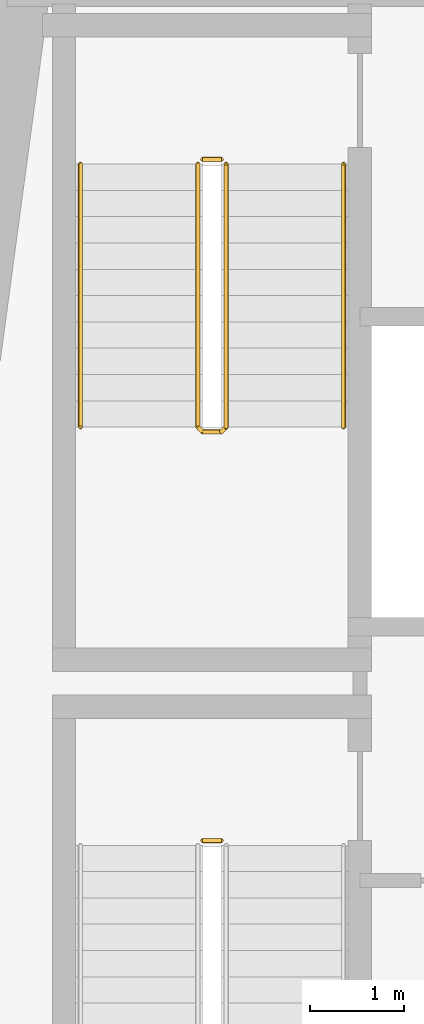
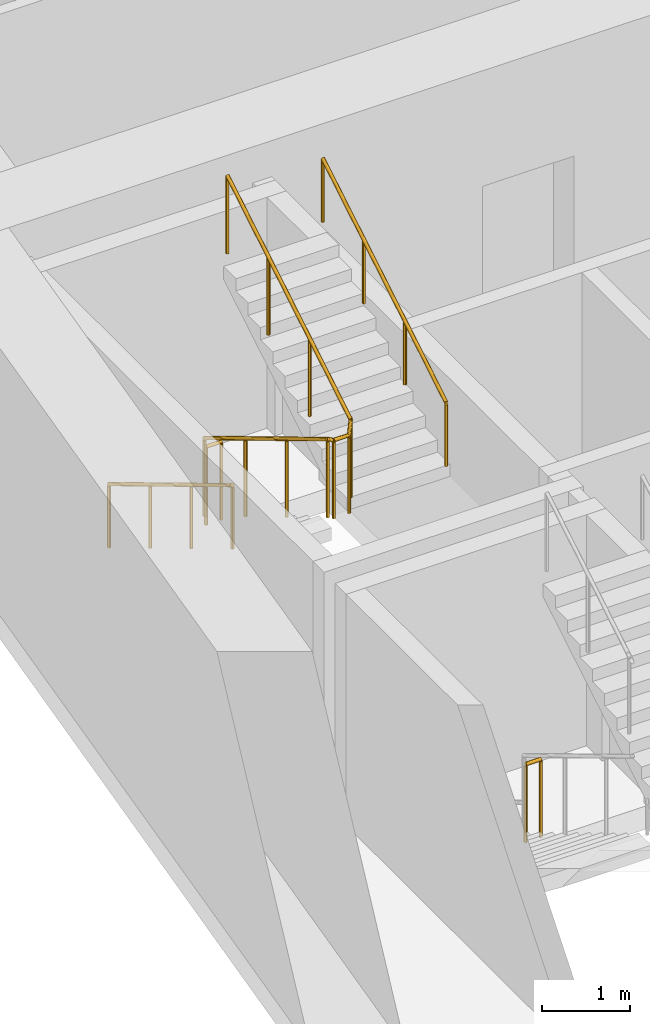
# One storey, part 10 of 13: 5 railings.
"""IFC4 building model written with IfcOpenShell, lengths in metres."""

from ifc_helpers import new_model, si_unit, direction, frame, origin, origin_2d, place, context, subcontext, project, spatial, circle, extrude, material, type_object, element, save


model = new_model("IFC4")

# Units and contexts
model_context = context("Model", 3, precision=1e-05, world=origin(), true_north=direction((0.0, 1.0)))
body_context = subcontext(model_context, "Body", "Model", "MODEL_VIEW")
ifc_project = project(units=[si_unit("LENGTHUNIT", "METRE"), si_unit("AREAUNIT", "SQUARE_METRE"), si_unit("VOLUMEUNIT", "CUBIC_METRE"), si_unit("PLANEANGLEUNIT", "RADIAN"), si_unit("MASSUNIT", "GRAM", prefix="KILO")], contexts=[model_context])

# Site, building, storey
site_placement = place(None, origin())
site = spatial("IfcSite", under=ifc_project, at=site_placement, CompositionType="ELEMENT")
building_placement = place(site_placement, origin())
building = spatial("IfcBuilding", under=site, at=building_placement, Name="Candeia Pilgrim Tower and Theatre", CompositionType="ELEMENT")
storey_placement = place(building_placement, frame((0.0, 0.0, 131.699951171875)))
storey = spatial("IfcBuildingStorey", under=building, at=storey_placement, Name="L31", CompositionType="ELEMENT", Elevation=131.699951171875)

# Railings
ifc_material_1 = material(Name="Stainless steel balustrade", Category="steel")
railing_type_1 = type_object("IfcRailingType", Name="RL-GUARD-1100", PredefinedType="GUARDRAIL", material=ifc_material_1)
railing_1_placement = place(storey_placement, frame((91.152099609375, 122.52490234375, 0.0)))
element("IfcRailing", 1, at=railing_1_placement, inside=storey, type_object=railing_type_1, Name="L31 ST1 stair guard 2", PredefinedType="GUARDRAIL", context=body_context, shape_type="SweptSolid", body=[
    extrude(circle(Radius=0.02392578125, at=origin_2d()), frame((0.0, 0.0, 1.076171875), z_axis=(1.0, 0.0, 0.0), x_axis=(0.0, 1.0, 0.0)), (0.0, 0.0, 1.0), 0.199951171875),
    extrude(circle(Radius=0.02099609375, at=origin_2d()), origin(), (0.0, 0.0, 1.0), 1.052001953125),
    extrude(circle(Radius=0.02099609375, at=origin_2d()), frame((0.199951171875, 0.0, 0.0)), (0.0, 0.0, 1.0), 1.052001953125),
])
railing_2_placement = place(storey_placement, frame((91.10205078125, 129.72509765625, 0.168212890625)))
element("IfcRailing", 2, at=railing_2_placement, inside=storey, type_object=railing_type_1, Name="L31 ST2 stair guard 1", PredefinedType="GUARDRAIL", context=body_context, shape_type="SweptSolid", body=[
    extrude(circle(Radius=0.02392578125, at=origin_2d()), frame((0.0, 0.0, 1.076171875), z_axis=(0.0, -0.857242210791, 0.514913383045), x_axis=(1.0, 0.0, 0.0)), (0.0, 0.0, 1.0), 3.266357421875),
    extrude(circle(Radius=0.02392578125, at=origin_2d()), frame((0.0, -2.800048828125, 2.7578125), z_axis=(0.707106781187, -0.707106781187, 0.0), x_axis=(0.707106781187, 0.707106781187, 0.0)), (0.0, 0.0, 1.0), 0.07080078125),
    extrude(circle(Radius=0.02392578125, at=origin_2d()), frame((0.050048828125, -2.85009765625, 2.7578125), z_axis=(1.0, 0.0, 0.0), x_axis=(0.0, 1.0, 0.0)), (0.0, 0.0, 1.0), 0.199951171875),
    extrude(circle(Radius=0.02392578125, at=origin_2d()), frame((0.25, -2.85009765625, 2.7578125), z_axis=(0.274243871929, 0.274243871929, 0.92172696468), x_axis=(-0.707106781187, 0.707106781187, 0.0)), (0.0, 0.0, 1.0), 0.1826171875),
    extrude(circle(Radius=0.02392578125, at=origin_2d()), frame((0.300048828125, -2.800048828125, 2.92626953125), z_axis=(0.0, 0.857275202839, 0.514858452973), x_axis=(-1.0, 0.0, 0.0)), (0.0, 0.0, 1.0), 3.26611328125),
    extrude(circle(Radius=0.02099609375, at=origin_2d()), origin(), (0.0, 0.0, 1.0), 1.052001953125),
    extrude(circle(Radius=0.02099609375, at=origin_2d()), frame((0.0, -0.933349609375, 0.560546875)), (0.0, 0.0, 1.0), 1.052001953125),
    extrude(circle(Radius=0.02099609375, at=origin_2d()), frame((0.0, -1.86669921875, 1.121337890625)), (0.0, 0.0, 1.0), 1.052001953125),
    extrude(circle(Radius=0.02099609375, at=origin_2d()), frame((0.0, -2.800048828125, 1.681884765625)), (0.0, 0.0, 1.0), 1.052001953125),
    extrude(circle(Radius=0.02099609375, at=origin_2d()), frame((0.050048828125, -2.85009765625, 1.681884765625)), (0.0, 0.0, 1.0), 1.052001953125),
    extrude(circle(Radius=0.02099609375, at=origin_2d()), frame((0.25, -2.85009765625, 1.681884765625)), (0.0, 0.0, 1.0), 1.052001953125),
    extrude(circle(Radius=0.02099609375, at=origin_2d()), frame((0.300048828125, -2.800048828125, 1.85009765625)), (0.0, 0.0, 1.0), 1.052001953125),
    extrude(circle(Radius=0.02099609375, at=origin_2d()), frame((0.300048828125, -1.86669921875, 2.41064453125)), (0.0, 0.0, 1.0), 1.052001953125),
    extrude(circle(Radius=0.02099609375, at=origin_2d()), frame((0.300048828125, -0.933349609375, 2.97119140625)), (0.0, 0.0, 1.0), 1.052001953125),
    extrude(circle(Radius=0.02099609375, at=origin_2d()), frame((0.300048828125, 0.0, 3.53173828125)), (0.0, 0.0, 1.0), 1.052001953125),
])
railing_3_placement = place(storey_placement, frame((91.152099609375, 129.77490234375, 0.0)))
element("IfcRailing", 3, at=railing_3_placement, inside=storey, type_object=railing_type_1, Name="L31 ST2 stair guard 2", PredefinedType="GUARDRAIL", context=body_context, shape_type="SweptSolid", body=[
    extrude(circle(Radius=0.02392578125, at=origin_2d()), frame((0.0, 0.0, 1.076171875), z_axis=(1.0, 0.0, 0.0), x_axis=(0.0, 1.0, 0.0)), (0.0, 0.0, 1.0), 0.199951171875),
    extrude(circle(Radius=0.02099609375, at=origin_2d()), origin(), (0.0, 0.0, 1.0), 1.052001953125),
    extrude(circle(Radius=0.02099609375, at=origin_2d()), frame((0.199951171875, 0.0, 0.0)), (0.0, 0.0, 1.0), 1.052001953125),
])
ifc_material_2 = material(Name="Stainless steel handrail", Category="steel")
railing_type_2 = type_object("IfcRailingType", Name="RL-HANDRAIL-900", PredefinedType="HANDRAIL", material=ifc_material_2)
railing_4_placement = place(storey_placement, frame((89.85205078125, 129.72509765625, 0.168212890625)))
element("IfcRailing", 4, at=railing_4_placement, inside=storey, type_object=railing_type_2, Name="L31 ST2 stair handrail 1", PredefinedType="HANDRAIL", context=body_context, shape_type="SweptSolid", body=[
    extrude(circle(Radius=0.02392578125, at=origin_2d()), frame((0.0, 0.0, 0.8759765625), z_axis=(0.0, -0.857242210791, 0.514913383045), x_axis=(1.0, 0.0, 0.0)), (0.0, 0.0, 1.0), 3.266357421875),
    extrude(circle(Radius=0.02099609375, at=origin_2d()), origin(), (0.0, 0.0, 1.0), 0.851806640625),
    extrude(circle(Radius=0.02099609375, at=origin_2d()), frame((0.0, -0.933349609375, 0.560546875)), (0.0, 0.0, 1.0), 0.851806640625),
    extrude(circle(Radius=0.02099609375, at=origin_2d()), frame((0.0, -1.86669921875, 1.121337890625)), (0.0, 0.0, 1.0), 0.851806640625),
    extrude(circle(Radius=0.02099609375, at=origin_2d()), frame((0.0, -2.800048828125, 1.681884765625)), (0.0, 0.0, 1.0), 0.851806640625),
])
railing_5_placement = place(storey_placement, frame((92.652099609375, 126.925048828125, 2.018310546875)))
element("IfcRailing", 5, at=railing_5_placement, inside=storey, type_object=railing_type_2, Name="L31 ST2 stair handrail 2", PredefinedType="HANDRAIL", context=body_context, shape_type="SweptSolid", body=[
    extrude(circle(Radius=0.02392578125, at=origin_2d()), frame((0.0, 0.0, 0.8759765625), z_axis=(0.0, 0.857275202839, 0.514858452973), x_axis=(-1.0, 0.0, 0.0)), (0.0, 0.0, 1.0), 3.26611328125),
    extrude(circle(Radius=0.02099609375, at=origin_2d()), origin(), (0.0, 0.0, 1.0), 0.851806640625),
    extrude(circle(Radius=0.02099609375, at=origin_2d()), frame((0.0, 0.933349609375, 0.560546875)), (0.0, 0.0, 1.0), 0.851806640625),
    extrude(circle(Radius=0.02099609375, at=origin_2d()), frame((0.0, 1.86669921875, 1.12109375)), (0.0, 0.0, 1.0), 0.851806640625),
    extrude(circle(Radius=0.02099609375, at=origin_2d()), frame((0.0, 2.800048828125, 1.681640625)), (0.0, 0.0, 1.0), 0.851806640625),
])

save(model, "model.ifc")
